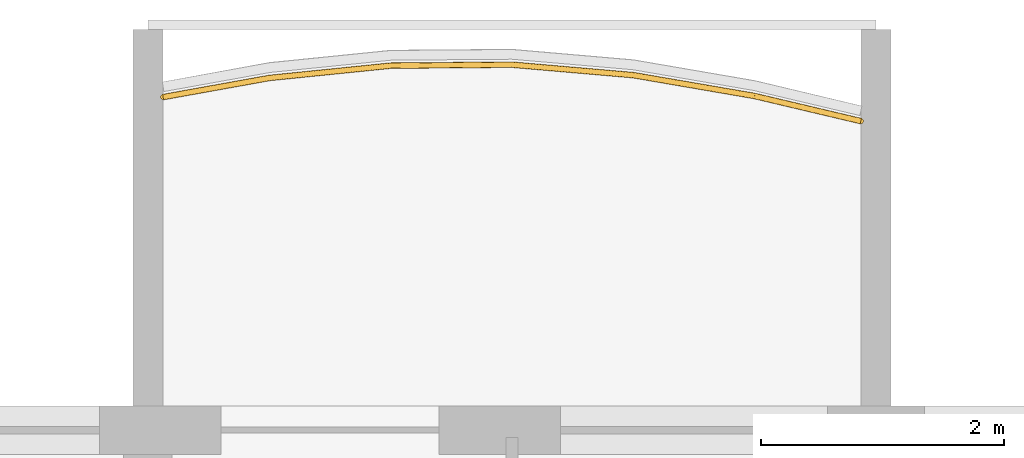
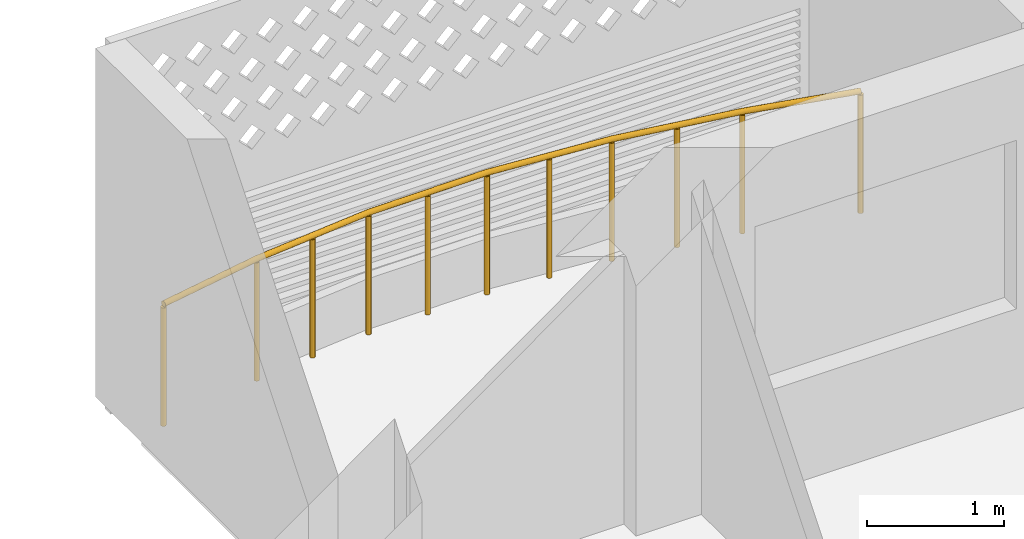
# One storey, part 24 of 44: 1 railing.
"""IFC4 building model written with IfcOpenShell, lengths in metres."""

from ifc_helpers import new_model, si_unit, direction, frame, origin, origin_2d, place, context, subcontext, project, spatial, circle, extrude, material, type_object, element, save


model = new_model("IFC4")

# Units and contexts
model_context = context("Model", 3, precision=1e-05, world=origin(), true_north=direction((0.0, 1.0)))
body_context = subcontext(model_context, "Body", "Model", "MODEL_VIEW")
ifc_project = project(units=[si_unit("LENGTHUNIT", "METRE"), si_unit("AREAUNIT", "SQUARE_METRE"), si_unit("VOLUMEUNIT", "CUBIC_METRE"), si_unit("PLANEANGLEUNIT", "RADIAN"), si_unit("MASSUNIT", "GRAM", prefix="KILO")], contexts=[model_context])

# Site, building, storey
site_placement = place(None, origin())
site = spatial("IfcSite", under=ifc_project, at=site_placement, CompositionType="ELEMENT")
building_placement = place(site_placement, origin())
building = spatial("IfcBuilding", under=site, at=building_placement, Name="Poui Terraces", CompositionType="ELEMENT")
storey_placement = place(building_placement, frame((0.0, 0.0, 26.699951171875)))
storey = spatial("IfcBuildingStorey", under=building, at=storey_placement, Name="L06", CompositionType="ELEMENT", Elevation=26.699951171875)

# Railing
ifc_material = material(Name="Painted steel fretwork", Category="steel")
railing_type = type_object("IfcRailingType", Name="BALCONY GUARD 1100", PredefinedType="GUARDRAIL", material=ifc_material)
railing_placement = place(storey_placement, frame((18.125, 47.544677734375, 0.0)))
element("IfcRailing", 1, at=railing_placement, inside=storey, type_object=railing_type, Name="BALCONY GUARD", PredefinedType="GUARDRAIL", context=body_context, shape_type="SweptSolid", body=[
    extrude(circle(Radius=0.02392578125, at=origin_2d()), frame((0.0, 0.0, 1.076171875), z_axis=(0.984189068803, 0.177121079626, 0.0), x_axis=(-0.177121079626, 0.984189068803, 0.0)), (0.0, 0.0, 1.0), 0.88916015625),
    extrude(circle(Radius=0.02392578125, at=origin_2d()), frame((0.875, 0.157470703125, 1.076171875), z_axis=(0.994882088655, 0.101042712129, 0.0), x_axis=(-0.101042712129, 0.994882088655, 0.0)), (0.0, 0.0, 1.0), 1.005126953125),
    extrude(circle(Radius=0.02392578125, at=origin_2d()), frame((1.875, 0.259033203125, 1.076171875), z_axis=(0.999967546851, 0.008056379162, 0.0), x_axis=(-0.008056379162, 0.999967546851, 0.0)), (0.0, 0.0, 1.0), 1.0),
    extrude(circle(Radius=0.02392578125, at=origin_2d()), frame((2.875, 0.26708984375, 1.076171875), z_axis=(0.996286084847, -0.086104803231, 0.0), x_axis=(0.086104803231, 0.996286084847, 0.0)), (0.0, 0.0, 1.0), 1.003662109375),
    extrude(circle(Radius=0.02392578125, at=origin_2d()), frame((3.875, 0.1806640625, 1.076171875), z_axis=(0.98554889076, -0.169391215599, 0.0), x_axis=(0.169391215599, 0.98554889076, 0.0)), (0.0, 0.0, 1.0), 1.0146484375),
    extrude(circle(Radius=0.02392578125, at=origin_2d()), frame((4.875, 0.0087890625, 1.076171875), z_axis=(0.973192348595, -0.229992723008, 0.0), x_axis=(0.229992723008, 0.973192348595, 0.0)), (0.0, 0.0, 1.0), 0.899169921875),
    extrude(circle(Radius=0.02099609375, at=origin_2d()), origin(), (0.0, 0.0, 1.0), 1.052001953125),
    extrude(circle(Radius=0.02099609375, at=origin_2d()), frame((0.875, 0.157470703125, 0.0)), (0.0, 0.0, 1.0), 1.052001953125),
    extrude(circle(Radius=0.02099609375, at=origin_2d()), frame((1.375, 0.208251953125, 0.0)), (0.0, 0.0, 1.0), 1.052001953125),
    extrude(circle(Radius=0.02099609375, at=origin_2d()), frame((1.875, 0.259033203125, 0.0)), (0.0, 0.0, 1.0), 1.052001953125),
    extrude(circle(Radius=0.02099609375, at=origin_2d()), frame((2.375, 0.26318359375, 0.0)), (0.0, 0.0, 1.0), 1.052001953125),
    extrude(circle(Radius=0.02099609375, at=origin_2d()), frame((2.875, 0.26708984375, 0.0)), (0.0, 0.0, 1.0), 1.052001953125),
    extrude(circle(Radius=0.02099609375, at=origin_2d()), frame((3.375, 0.223876953125, 0.0)), (0.0, 0.0, 1.0), 1.052001953125),
    extrude(circle(Radius=0.02099609375, at=origin_2d()), frame((3.875, 0.1806640625, 0.0)), (0.0, 0.0, 1.0), 1.052001953125),
    extrude(circle(Radius=0.02099609375, at=origin_2d()), frame((4.375, 0.0947265625, 0.0)), (0.0, 0.0, 1.0), 1.052001953125),
    extrude(circle(Radius=0.02099609375, at=origin_2d()), frame((4.875, 0.0087890625, 0.0)), (0.0, 0.0, 1.0), 1.052001953125),
    extrude(circle(Radius=0.02099609375, at=origin_2d()), frame((5.75, -0.197998046875, 0.0)), (0.0, 0.0, 1.0), 1.052001953125),
])

save(model, "model.ifc")
